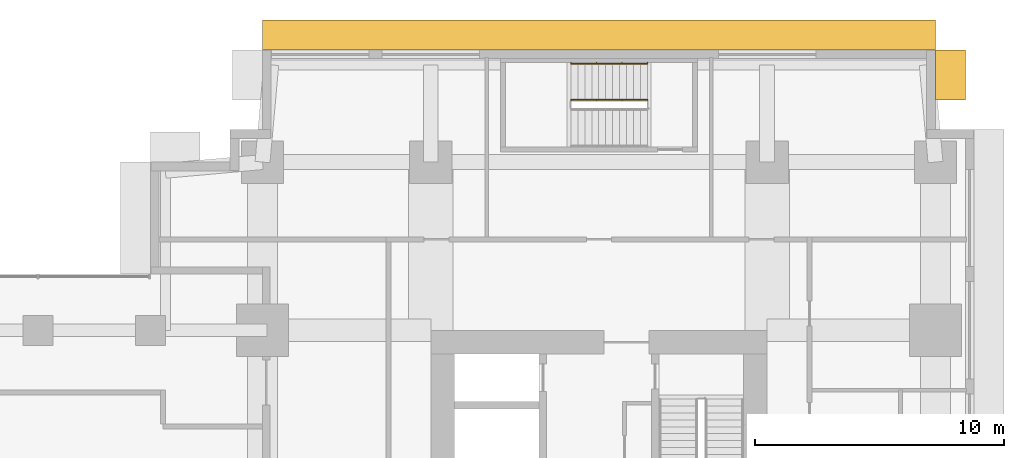
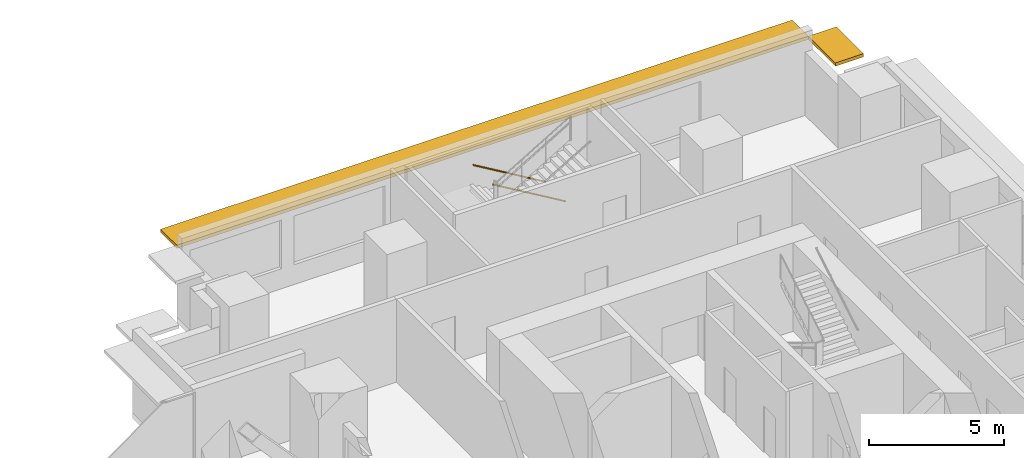
# One storey, part 15 of 15: 2 railings, 2 shading devices.
"""IFC4 building model written with IfcOpenShell, lengths in metres."""

import ifcopenshell
import ifcopenshell.guid

model = None  # the IFC model being written
_history = None  # IfcOwnerHistory: only IFC2X3 demands one
_inside = {}  # id of a spatial element -> (the spatial element, [elements in it])
_under = {}  # id of a project, library or spatial element -> (it, [spatial elements below it])
_declared = {}  # id of a project -> (the project, [libraries it declares])
_typed = {}  # id of a type object -> (the type object, [elements of that type])
_made_of = {}  # id of a material, layer set ... -> (it, [elements and type objects made of it])


def new_model(schema):
    """Start an empty IFC model of exactly this schema.

    Asked for "IFC4X3", IfcOpenShell would pick the latest addendum, in which some entities
    have other attributes; the version numbers below select the first issue.
    IFC2X3 requires an IfcOwnerHistory on every rooted entity: one is made here for all.
    """
    global model, _history
    if schema == "IFC4X3":
        model = ifcopenshell.file(schema_version=(4, 3, 0, 0))
    else:
        model = ifcopenshell.file(schema=schema)
    _inside.clear()
    _under.clear()
    _declared.clear()
    _typed.clear()
    _made_of.clear()
    _history = None
    if model.schema == "IFC2X3":
        org = make("IfcOrganization", Name="unknown")
        user = make(
            "IfcPersonAndOrganization",
            ThePerson=make("IfcPerson", FamilyName="unknown"),
            TheOrganization=org,
        )
        app = make(
            "IfcApplication",
            ApplicationDeveloper=org,
            Version="unknown",
            ApplicationFullName="unknown",
            ApplicationIdentifier="unknown",
        )
        _history = make(
            "IfcOwnerHistory",
            OwningUser=user,
            OwningApplication=app,
            ChangeAction="ADDED",
            CreationDate=0,
        )
    return model


def make(cls, **values):
    """One entity of the class cls with the attributes given. An attribute that is None is left unset."""
    return model.create_entity(
        cls, **{name: value for name, value in values.items() if value is not None}
    )


def rooted(cls, **values):
    """An entity with a GlobalId (a new one), such as an element, a storey or a relation."""
    return make(cls, GlobalId=ifcopenshell.guid.new(), OwnerHistory=_history, **values)


def si_unit(unit_type, name, prefix=None):
    """IfcSIUnit, for example si_unit("LENGTHUNIT", "METRE", prefix="MILLI")."""
    return make("IfcSIUnit", UnitType=unit_type, Prefix=prefix, Name=name)


def assignment(units):
    """IfcUnitAssignment: the units of a project."""
    return None if units is None else make("IfcUnitAssignment", Units=units)


def point(xyz):
    """IfcCartesianPoint."""
    return None if xyz is None else make("IfcCartesianPoint", Coordinates=xyz)


def direction(xyz):
    """IfcDirection."""
    return None if xyz is None else make("IfcDirection", DirectionRatios=xyz)


def frame(location, z_axis=None, x_axis=None):
    """IfcAxis2Placement3D, a coordinate frame: its origin and axes. An axis left out is left unset."""
    return make(
        "IfcAxis2Placement3D",
        Location=point(location),
        Axis=direction(z_axis),
        RefDirection=direction(x_axis),
    )


def frame_2d(location, x_axis=None):
    """IfcAxis2Placement2D, a coordinate frame in the plane: its origin and x axis."""
    return make(
        "IfcAxis2Placement2D", Location=point(location), RefDirection=direction(x_axis)
    )


def origin():
    """The frame at (0, 0, 0) with its axes left unset."""
    return frame((0.0, 0.0, 0.0))


def origin_2d():
    """The frame at (0, 0) in the plane with its x axis left unset."""
    return frame_2d((0.0, 0.0))


def place(relative_to, where):
    """IfcLocalPlacement: puts the frame where relative to a parent placement (None: the world)."""
    return make(
        "IfcLocalPlacement", PlacementRelTo=relative_to, RelativePlacement=where
    )


def context(
    kind, dimensions, precision=None, world=None, true_north=None, identifier=None
):
    """IfcGeometricRepresentationContext, for example the 3D "Model" context."""
    return make(
        "IfcGeometricRepresentationContext",
        ContextIdentifier=identifier,
        ContextType=kind,
        CoordinateSpaceDimension=dimensions,
        Precision=precision,
        WorldCoordinateSystem=world,
        TrueNorth=true_north,
    )


def subcontext(parent, identifier, kind, view, scale=None):
    """IfcGeometricRepresentationSubContext, for example "Body" below "Model"."""
    return make(
        "IfcGeometricRepresentationSubContext",
        ContextIdentifier=identifier,
        ContextType=kind,
        ParentContext=parent,
        TargetScale=scale,
        TargetView=view,
    )


def project(units=None, contexts=None):
    """IfcProject with its units and contexts."""
    return rooted(
        "IfcProject",
        Name="project",
        RepresentationContexts=contexts,
        UnitsInContext=assignment(units),
    )


def spatial(cls, under=None, at=None, **own):
    """A site, building, storey or space (cls), placed at a placement, below another one or the project."""
    s = rooted(cls, ObjectPlacement=at, **own)
    if under is not None:
        _under.setdefault(under.id(), (under, []))[1].append(s)
    return s


def profile(cls, at=None, kind="AREA", **sizes):
    """A parametric profile (cls). Its sizes go by their IFC names, for example OverallWidth=200.0."""
    return make(cls, ProfileType=kind, Position=at, **sizes)


def rectangle(**sizes):
    """IfcRectangleProfileDef."""
    return profile("IfcRectangleProfileDef", **sizes)


def circle(**sizes):
    """IfcCircleProfileDef."""
    return profile("IfcCircleProfileDef", **sizes)


def extrude(swept, where, along, depth):
    """IfcExtrudedAreaSolid: the profile swept, set in the frame where, extruded along a direction by depth."""
    return make(
        "IfcExtrudedAreaSolid",
        SweptArea=swept,
        Position=where,
        ExtrudedDirection=direction(along),
        Depth=depth,
    )


def shape(context_of_items, identifier, shape_type, items):
    """IfcShapeRepresentation: the items that make up one representation, for example the "Body"."""
    return make(
        "IfcShapeRepresentation",
        ContextOfItems=context_of_items,
        RepresentationIdentifier=identifier,
        RepresentationType=shape_type,
        Items=items,
    )


def material(Name=None, Category=None):
    """IfcMaterial."""
    return make("IfcMaterial", Name=Name, Category=Category)


def layer(
    of_material, thickness, ventilated=None, Name=None, Category=None, Priority=None
):
    """IfcMaterialLayer: one layer of a wall or slab, of a material (None: an air gap)."""
    return make(
        "IfcMaterialLayer",
        Material=of_material,
        LayerThickness=thickness,
        IsVentilated=ventilated,
        Name=Name,
        Category=Category,
        Priority=Priority,
    )


def layer_set(layers, Name=None):
    """IfcMaterialLayerSet."""
    return make("IfcMaterialLayerSet", MaterialLayers=layers, LayerSetName=Name)


def made_of(thing, what):
    """Note that an element or type object is made of a material, layer set ...; save() writes the relation."""
    if what is not None:
        _made_of.setdefault(what.id(), (what, []))[1].append(thing)
    return thing


def type_object(cls, material=None, **own):
    """A type object (cls), such as IfcWallType, which elements share."""
    return made_of(rooted(cls, **own), material)


def element(
    cls,
    number,
    at=None,
    inside=None,
    cuts=None,
    type_object=None,
    material=None,
    context=None,
    identifier="Body",
    shape_type=None,
    held_by="IfcProductDefinitionShape",
    body=None,
    shapes=None,
    **own,
):
    """One element of the class cls, such as IfcWall. Its Tag is "e" and its number.

    at: its placement. inside: the storey or other place that contains it. cuts: it is an
    opening in that element (IfcRelVoidsElement). A single representation is given by context,
    identifier, shape_type and body (its items); several are given by shapes. held_by: the class
    of the entity that holds the representations. save() writes the other relations.
    """
    e = rooted(cls, Tag="e%d" % number, ObjectPlacement=at, **own)
    if body is not None:
        shapes = [shape(context, identifier, shape_type, body)]
    if shapes is not None:
        e.Representation = make(held_by, Representations=shapes)
    if inside is not None:
        _inside.setdefault(inside.id(), (inside, []))[1].append(e)
    if cuts is not None:
        rooted(
            "IfcRelVoidsElement", RelatingBuildingElement=cuts, RelatedOpeningElement=e
        )
    if type_object is not None:
        _typed.setdefault(type_object.id(), (type_object, []))[1].append(e)
    return made_of(e, material)


def aggregate(whole, parts):
    """IfcRelAggregates: a whole, such as a stair, and the parts it consists of."""
    return rooted("IfcRelAggregates", RelatingObject=whole, RelatedObjects=parts)


def save(model, path):
    """Write the relations noted so far, then the file.

    IfcRelAggregates (storeys below a building ...), IfcRelContainedInSpatialStructure (elements
    in a storey), IfcRelDefinesByType, IfcRelAssociatesMaterial and IfcRelDeclares: one each for
    every whole, place, type object, material and project.
    """
    for whole, parts in _under.values():
        aggregate(whole, parts)
    for where, things in _inside.values():
        rooted(
            "IfcRelContainedInSpatialStructure",
            RelatedElements=things,
            RelatingStructure=where,
        )
    for kind, things in _typed.values():
        rooted("IfcRelDefinesByType", RelatedObjects=things, RelatingType=kind)
    for what, things in _made_of.values():
        rooted("IfcRelAssociatesMaterial", RelatedObjects=things, RelatingMaterial=what)
    for by, libraries in _declared.values():
        rooted("IfcRelDeclares", RelatingContext=by, RelatedDefinitions=libraries)
    model.write(path)


model = new_model("IFC4")

# Units and contexts
model_context = context("Model", 3, precision=1e-05, world=origin(), true_north=direction((0.0, 1.0)))
body_context = subcontext(model_context, "Body", "Model", "MODEL_VIEW")
ifc_project = project(units=[si_unit("LENGTHUNIT", "METRE"), si_unit("AREAUNIT", "SQUARE_METRE"), si_unit("VOLUMEUNIT", "CUBIC_METRE"), si_unit("PLANEANGLEUNIT", "RADIAN"), si_unit("MASSUNIT", "GRAM", prefix="KILO")], contexts=[model_context])

# Site, building, storey
site_placement = place(None, origin())
site = spatial("IfcSite", under=ifc_project, at=site_placement, CompositionType="ELEMENT")
building_placement = place(site_placement, origin())
building = spatial("IfcBuilding", under=site, at=building_placement, Name="Namib Vertical Campus", CompositionType="ELEMENT")
storey_placement = place(building_placement, frame((0.0, 0.0, 109.0)))
storey = spatial("IfcBuildingStorey", under=building, at=storey_placement, Name="L25", CompositionType="ELEMENT", Elevation=109.0)

# Railings
ifc_material_1 = material(Name="Steel handrail", Category="steel")
railing_type = type_object("IfcRailingType", Name="Handrail 900", PredefinedType="HANDRAIL", material=ifc_material_1)
railing_1_placement = place(storey_placement, frame((82.949951171875, 39.949951171875, 0.166748046875)))
element("IfcRailing", 1, at=railing_1_placement, inside=storey, type_object=railing_type, Name="Handrail HR1 B-S3 L25 1", PredefinedType="HANDRAIL", context=body_context, shape_type="SweptSolid", body=[
    extrude(circle(Radius=0.02392578125, at=origin_2d()), frame((0.0, 0.0, 0.8759765625), z_axis=(-0.859290745958, 0.0, 0.51148745235), x_axis=(0.0, -1.0, 0.0)), (0.0, 0.0, 1.0), 3.584228515625),
    extrude(circle(Radius=0.008056640625, at=origin_2d()), frame((0.0, 0.0, 0.8759765625), z_axis=(0.0, 1.0, 0.0), x_axis=(0.0, 0.0, 1.0)), (0.0, 0.0, 1.0), 0.050048828125),
    extrude(circle(Radius=0.008056640625, at=origin_2d()), frame((-1.026611328125, 0.0, 1.48681640625), z_axis=(0.0, 1.0, 0.0), x_axis=(0.0, 0.0, 1.0)), (0.0, 0.0, 1.0), 0.050048828125),
    extrude(circle(Radius=0.008056640625, at=origin_2d()), frame((-2.05322265625, 0.0, 2.09814453125), z_axis=(0.0, 1.0, 0.0), x_axis=(0.0, 0.0, 1.0)), (0.0, 0.0, 1.0), 0.050048828125),
    extrude(circle(Radius=0.008056640625, at=origin_2d()), frame((-3.079833984375, 0.0, 2.708984375), z_axis=(0.0, 1.0, 0.0), x_axis=(0.0, 0.0, 1.0)), (0.0, 0.0, 1.0), 0.050048828125),
])
railing_2_placement = place(storey_placement, frame((82.949951171875, 38.5, 0.166748046875)))
element("IfcRailing", 2, at=railing_2_placement, inside=storey, type_object=railing_type, Name="Handrail HR1 B-S3 L25 1 at the well", PredefinedType="HANDRAIL", context=body_context, shape_type="SweptSolid", body=[
    extrude(circle(Radius=0.02392578125, at=origin_2d()), frame((0.0, 0.0, 0.8759765625), z_axis=(-0.859290745958, 0.0, 0.51148745235), x_axis=(0.0, -1.0, 0.0)), (0.0, 0.0, 1.0), 3.584228515625),
    extrude(circle(Radius=0.008056640625, at=origin_2d()), frame((0.0, 0.0, 0.8759765625), z_axis=(0.0, -1.0, 0.0), x_axis=(0.0, 0.0, 1.0)), (0.0, 0.0, 1.0), 0.0400390625),
    extrude(circle(Radius=0.008056640625, at=origin_2d()), frame((-1.026611328125, 0.0, 1.48681640625), z_axis=(0.0, -1.0, 0.0), x_axis=(0.0, 0.0, 1.0)), (0.0, 0.0, 1.0), 0.0400390625),
    extrude(circle(Radius=0.008056640625, at=origin_2d()), frame((-2.05322265625, 0.0, 2.09814453125), z_axis=(0.0, -1.0, 0.0), x_axis=(0.0, 0.0, 1.0)), (0.0, 0.0, 1.0), 0.0400390625),
    extrude(circle(Radius=0.008056640625, at=origin_2d()), frame((-3.079833984375, 0.0, 2.708984375), z_axis=(0.0, -1.0, 0.0), x_axis=(0.0, 0.0, 1.0)), (0.0, 0.0, 1.0), 0.0400390625),
])

# Shading devices
ifc_material_2 = material(Name="Concrete C40/50 precast", Category="concrete")
ifc_layer = layer(ifc_material_2, 0.14990234375)
ifc_layer_set = layer_set([ifc_layer], Name="Concrete C40/50 precast")
shading_device_type = type_object("IfcShadingDeviceType", Name="Sunshade hood 1200", PredefinedType="SHUTTER", material=ifc_layer_set)
shading_device_1_placement = place(storey_placement, frame((95.10009765625, 39.5, 3.10009765625), z_axis=(0.0, 0.0, 1.0), x_axis=(0.0, 1.0, 0.0)))
element("IfcShadingDevice", 3, at=shading_device_1_placement, inside=storey, type_object=shading_device_type, Name="Sunshade SH2 L25 7", PredefinedType="SHUTTER", context=body_context, shape_type="SweptSolid", body=[
    extrude(rectangle(XDim=2.0, YDim=1.199951171875, at=origin_2d()), origin(), (0.0, 0.0, 1.0), 0.14990234375),
])
shading_device_2_placement = place(storey_placement, frame((81.0, 41.10009765625, 3.10009765625), z_axis=(0.0, 0.0, 1.0), x_axis=(-1.0, 0.0, 0.0)))
element("IfcShadingDevice", 4, at=shading_device_2_placement, inside=storey, type_object=shading_device_type, Name="Sunshade SH2 L25 8", PredefinedType="SHUTTER", context=body_context, shape_type="SweptSolid", body=[
    extrude(rectangle(XDim=27.0, YDim=1.199951171875, at=origin_2d()), origin(), (0.0, 0.0, 1.0), 0.14990234375),
])

save(model, "model.ifc")
